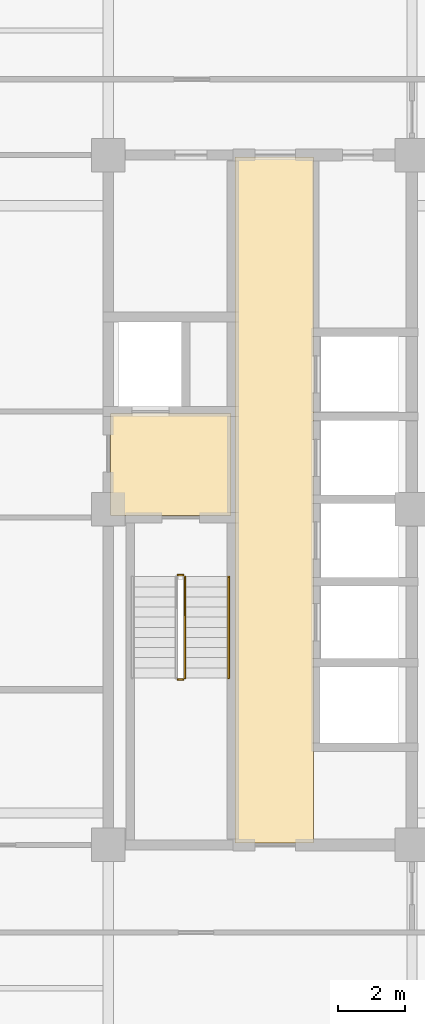
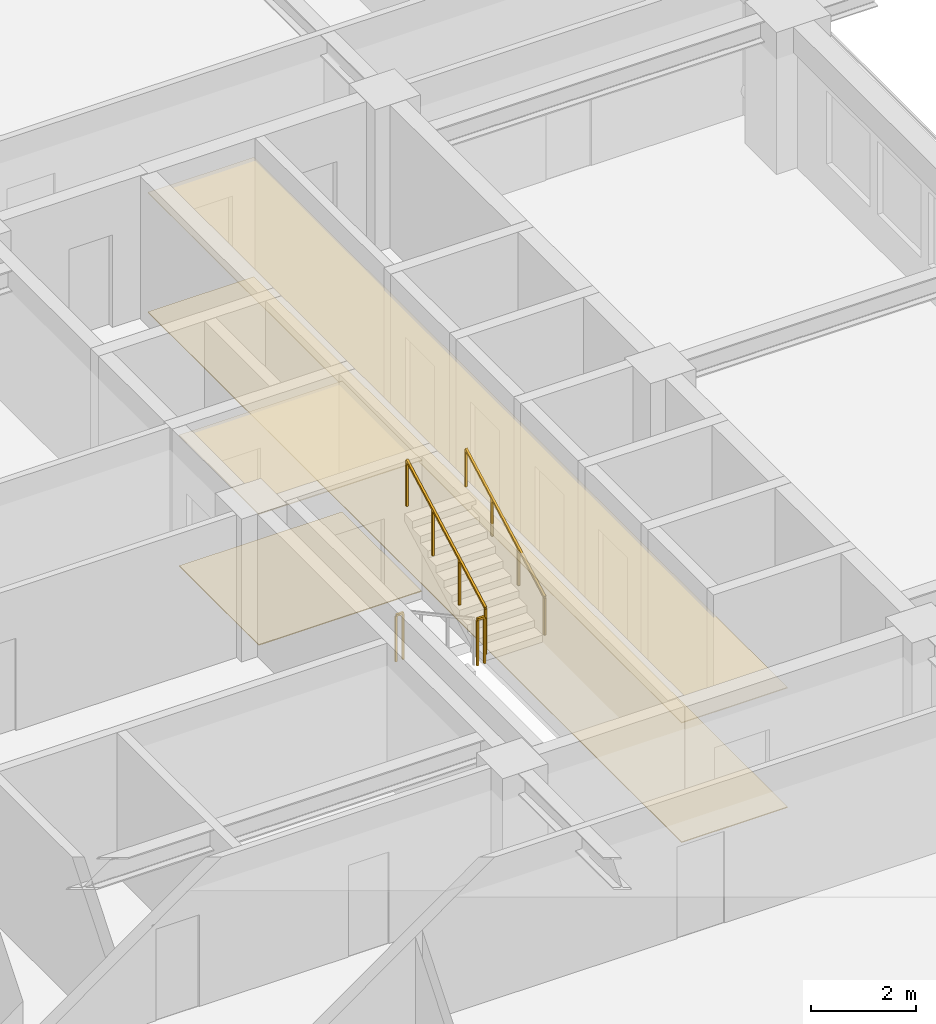
# One storey, part 12 of 13: 4 coverings, 4 railings.
"""IFC4 building model written with IfcOpenShell, lengths in metres."""

from ifc_helpers import new_model, si_unit, direction, frame, origin, origin_2d, place, context, subcontext, project, spatial, polyline, rectangle, outline, extrude, material, layer, layer_set, type_object, element, save


model = new_model("IFC4")

# Units and contexts
model_context = context("Model", 3, precision=1e-05, world=origin(), true_north=direction((0.0, 1.0)))
body_context = subcontext(model_context, "Body", "Model", "MODEL_VIEW")
ifc_project = project(units=[si_unit("LENGTHUNIT", "METRE"), si_unit("AREAUNIT", "SQUARE_METRE"), si_unit("VOLUMEUNIT", "CUBIC_METRE"), si_unit("PLANEANGLEUNIT", "RADIAN"), si_unit("MASSUNIT", "GRAM", prefix="KILO")], contexts=[model_context])

# Site, building, storey
site_placement = place(None, origin())
site = spatial("IfcSite", under=ifc_project, at=site_placement, CompositionType="ELEMENT")
building_placement = place(site_placement, origin())
building = spatial("IfcBuilding", under=site, at=building_placement, Name="Zulmaris Gate Convention Tower", CompositionType="ELEMENT")
storey_placement = place(building_placement, frame((0.0, 0.0, 91.35986328125)))
storey = spatial("IfcBuildingStorey", under=building, at=storey_placement, Name="L22", CompositionType="ELEMENT", Elevation=91.35986328125)

# Coverings
ifc_material_1 = material(Name="Mineral Fibre Acoustic Ceiling Tile")
ifc_layer_1 = layer(ifc_material_1, 0.02001953125, Name="Mineral Fibre Acoustic Ceiling Tile")
ifc_layer_set_1 = layer_set([ifc_layer_1], Name="Mineral Fibre Acoustic Ceiling Tile")
covering_type_1 = type_object("IfcCoveringType", Name="CLG-ACOUSTIC-600", PredefinedType="CEILING", material=ifc_layer_set_1)
covering_1_placement = place(storey_placement, frame((0.0, 0.0, 3.0400390625)))
element("IfcCovering", 1, at=covering_1_placement, inside=storey, type_object=covering_type_1, Name="CLG-L22-R08", PredefinedType="CEILING", context=body_context, shape_type="SweptSolid", body=[
    extrude(outline(polyline([(11.06005859375, -0.18994140625), (14.639892578125, -0.18994140625), (14.639892578125, 2.840087890625), (11.06005859375, 2.840087890625), (11.06005859375, -0.18994140625)])), origin(), (0.0, 0.0, 1.0), 0.02001953125),
])
covering_2_placement = place(storey_placement, frame((0.0, 0.0, 2.778076171875)))
element("IfcCovering", 2, at=covering_2_placement, inside=storey, type_object=covering_type_1, Name="CLG-L22-R21", PredefinedType="CEILING", context=body_context, shape_type="SweptSolid", body=[
    extrude(outline(polyline([(14.760009765625, -9.889892578125), (17.090087890625, -9.889892578125), (17.090087890625, 10.43994140625), (14.760009765625, 10.43994140625), (14.760009765625, -9.889892578125)])), origin(), (0.0, 0.0, 1.0), 0.02001953125),
])
ifc_material_2 = material(Name="Woven Acoustic Wool Carpet Tile")
ifc_layer_2 = layer(ifc_material_2, 0.02001953125, Name="Woven Acoustic Wool Carpet Tile")
ifc_layer_set_2 = layer_set([ifc_layer_2], Name="Woven Acoustic Wool Carpet Tile")
covering_type_2 = type_object("IfcCoveringType", Name="FLR-CARPET-12", PredefinedType="FLOORING", material=ifc_layer_set_2)
covering_3_placement = place(storey_placement, origin())
element("IfcCovering", 3, at=covering_3_placement, inside=storey, type_object=covering_type_2, Name="FLR-L22-R08", PredefinedType="FLOORING", context=body_context, shape_type="SweptSolid", body=[
    extrude(outline(polyline([(11.06005859375, -0.18994140625), (14.639892578125, -0.18994140625), (14.639892578125, 2.840087890625), (11.06005859375, 2.840087890625), (11.06005859375, -0.18994140625)])), origin(), (0.0, 0.0, 1.0), 0.02001953125),
])
covering_4_placement = place(storey_placement, origin())
element("IfcCovering", 4, at=covering_4_placement, inside=storey, type_object=covering_type_2, Name="FLR-L22-R21", PredefinedType="FLOORING", context=body_context, shape_type="SweptSolid", body=[
    extrude(outline(polyline([(14.760009765625, -9.889892578125), (17.090087890625, -9.889892578125), (17.090087890625, 10.43994140625), (14.760009765625, 10.43994140625), (14.760009765625, -9.889892578125)])), origin(), (0.0, 0.0, 1.0), 0.02001953125),
])

# Railings
ifc_material_3 = material(Name="Painted Galvanised Steel", Category="steel")
railing_type_1 = type_object("IfcRailingType", Name="RL-STG-1150", PredefinedType="GUARDRAIL", material=ifc_material_3)
railing_1_placement = place(storey_placement, frame((13.06005859375, -5.050048828125, 1.78515625)))
element("IfcRailing", 5, at=railing_1_placement, inside=storey, type_object=railing_type_1, Name="L22 ST-2 stair guard 2", PredefinedType="GUARDRAIL", context=body_context, shape_type="SweptSolid", body=[
    extrude(rectangle(XDim=0.048095703125, YDim=0.048095703125, at=origin_2d()), frame((0.0, 0.0, 1.076171875), z_axis=(1.0, 0.0, 0.0), x_axis=(0.0, 1.0, 0.0)), (0.0, 0.0, 1.0), 0.159912109375),
    extrude(rectangle(XDim=0.0419921875, YDim=0.0419921875, at=origin_2d()), origin(), (0.0, 0.0, 1.0), 1.052001953125),
    extrude(rectangle(XDim=0.0419921875, YDim=0.0419921875, at=origin_2d()), frame((0.159912109375, 0.0, 0.0)), (0.0, 0.0, 1.0), 1.052001953125),
])
railing_2_placement = place(storey_placement, frame((13.27001953125, -5.0, 1.947265625)))
element("IfcRailing", 6, at=railing_2_placement, inside=storey, type_object=railing_type_1, Name="L22 ST-2 stair guard 3", PredefinedType="GUARDRAIL", context=body_context, shape_type="SweptSolid", body=[
    extrude(rectangle(XDim=0.048095703125, YDim=0.048095703125, at=origin_2d()), frame((0.0, 0.0, 1.076171875), z_axis=(0.0, 0.8795616155, 0.475784998228), x_axis=(-1.0, 0.0, 0.0)), (0.0, 0.0, 1.0), 3.410888671875),
    extrude(rectangle(XDim=0.0419921875, YDim=0.0419921875, at=origin_2d()), origin(), (0.0, 0.0, 1.0), 1.052001953125),
    extrude(rectangle(XDim=0.0419921875, YDim=0.0419921875, at=origin_2d()), frame((0.0, 1.0, 0.541015625)), (0.0, 0.0, 1.0), 1.052001953125),
    extrude(rectangle(XDim=0.0419921875, YDim=0.0419921875, at=origin_2d()), frame((0.0, 2.0, 1.081787109375)), (0.0, 0.0, 1.0), 1.052001953125),
    extrude(rectangle(XDim=0.0419921875, YDim=0.0419921875, at=origin_2d()), frame((0.0, 3.0, 1.622802734375)), (0.0, 0.0, 1.0), 1.052001953125),
])
railing_3_placement = place(storey_placement, frame((13.06005859375, -1.949951171875, 0.0)))
element("IfcRailing", 7, at=railing_3_placement, inside=storey, type_object=railing_type_1, Name="L22 ST-2 stair guard 4", PredefinedType="GUARDRAIL", context=body_context, shape_type="SweptSolid", body=[
    extrude(rectangle(XDim=0.048095703125, YDim=0.048095703125, at=origin_2d()), frame((0.0, 0.0, 1.076171875), z_axis=(1.0, 0.0, 0.0), x_axis=(0.0, 1.0, 0.0)), (0.0, 0.0, 1.0), 0.159912109375),
    extrude(rectangle(XDim=0.0419921875, YDim=0.0419921875, at=origin_2d()), origin(), (0.0, 0.0, 1.0), 1.052001953125),
    extrude(rectangle(XDim=0.0419921875, YDim=0.0419921875, at=origin_2d()), frame((0.159912109375, 0.0, 0.0)), (0.0, 0.0, 1.0), 1.052001953125),
])
ifc_material_4 = material(Name="Brushed Stainless Steel", Category="steel")
railing_type_2 = type_object("IfcRailingType", Name="RL-STH-900", PredefinedType="HANDRAIL", material=ifc_material_4)
railing_4_placement = place(storey_placement, frame((14.570068359375, -5.0, 1.947265625)))
element("IfcRailing", 8, at=railing_4_placement, inside=storey, type_object=railing_type_2, Name="L22 ST-2 stair handrail 2", PredefinedType="HANDRAIL", context=body_context, shape_type="SweptSolid", body=[
    extrude(rectangle(XDim=0.048095703125, YDim=0.048095703125, at=origin_2d()), frame((0.0, 0.0, 0.8759765625), z_axis=(0.0, 0.8795616155, 0.475784998228), x_axis=(-1.0, 0.0, 0.0)), (0.0, 0.0, 1.0), 3.410888671875),
    extrude(rectangle(XDim=0.0419921875, YDim=0.0419921875, at=origin_2d()), origin(), (0.0, 0.0, 1.0), 0.851806640625),
    extrude(rectangle(XDim=0.0419921875, YDim=0.0419921875, at=origin_2d()), frame((0.0, 1.0, 0.541015625)), (0.0, 0.0, 1.0), 0.851806640625),
    extrude(rectangle(XDim=0.0419921875, YDim=0.0419921875, at=origin_2d()), frame((0.0, 2.0, 1.081787109375)), (0.0, 0.0, 1.0), 0.851806640625),
    extrude(rectangle(XDim=0.0419921875, YDim=0.0419921875, at=origin_2d()), frame((0.0, 3.0, 1.622802734375)), (0.0, 0.0, 1.0), 0.851806640625),
])

save(model, "model.ifc")
